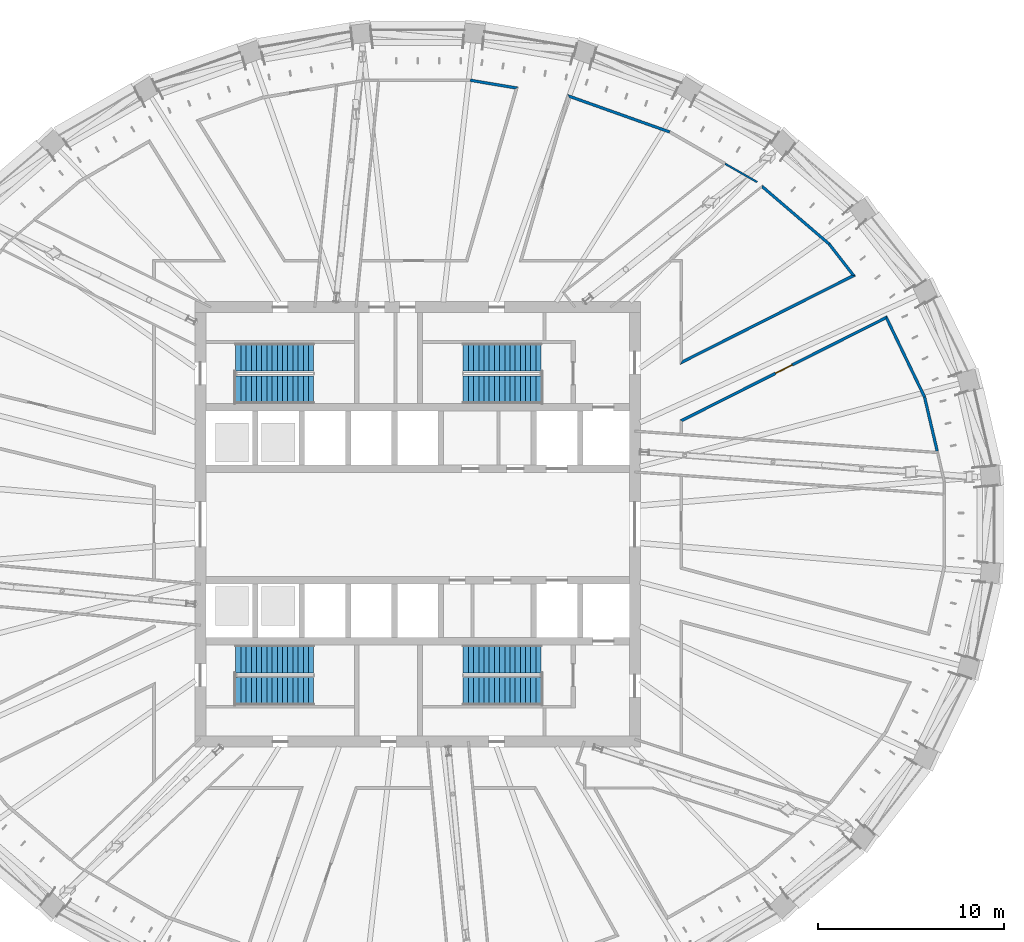
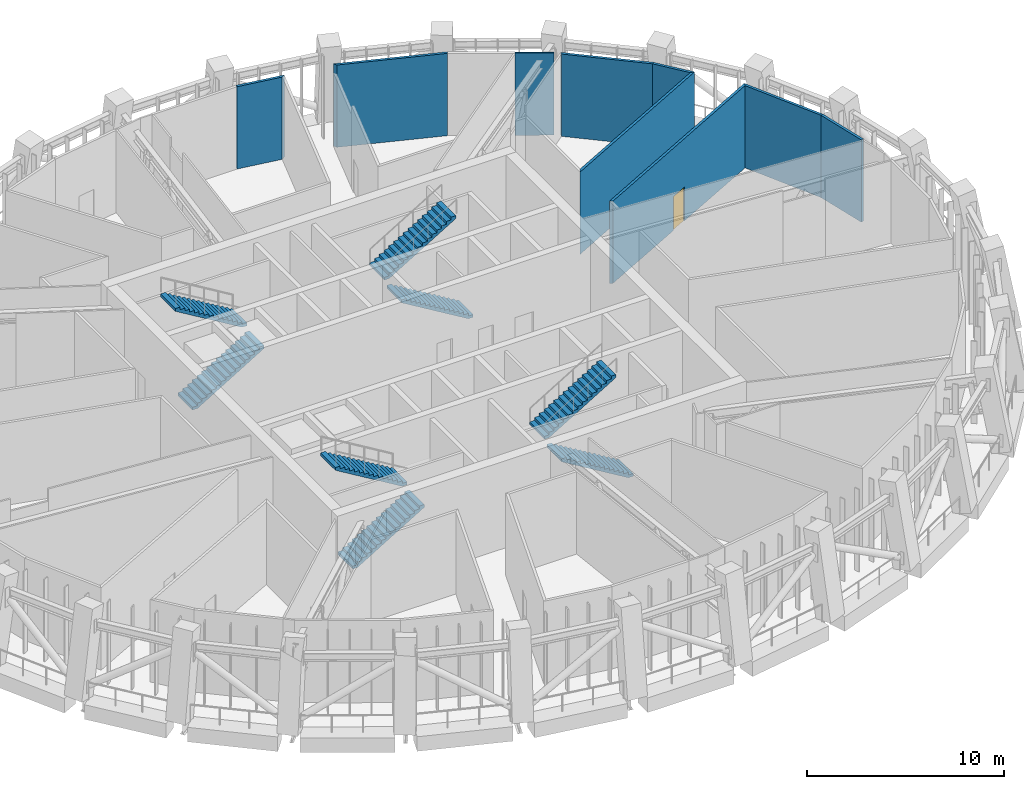
# One storey, part 11 of 20: 9 walls, 8 stair flights, 1 door, 1 opening, 4 elements without a shape of their own.
"""IFC4 building model written with IfcOpenShell, lengths in metres."""

import ifcopenshell
import ifcopenshell.guid

model = None  # the IFC model being written
_history = None  # IfcOwnerHistory: only IFC2X3 demands one
_inside = {}  # id of a spatial element -> (the spatial element, [elements in it])
_under = {}  # id of a project, library or spatial element -> (it, [spatial elements below it])
_declared = {}  # id of a project -> (the project, [libraries it declares])
_typed = {}  # id of a type object -> (the type object, [elements of that type])
_made_of = {}  # id of a material, layer set ... -> (it, [elements and type objects made of it])


def new_model(schema):
    """Start an empty IFC model of exactly this schema.

    Asked for "IFC4X3", IfcOpenShell would pick the latest addendum, in which some entities
    have other attributes; the version numbers below select the first issue.
    IFC2X3 requires an IfcOwnerHistory on every rooted entity: one is made here for all.
    """
    global model, _history
    if schema == "IFC4X3":
        model = ifcopenshell.file(schema_version=(4, 3, 0, 0))
    else:
        model = ifcopenshell.file(schema=schema)
    _inside.clear()
    _under.clear()
    _declared.clear()
    _typed.clear()
    _made_of.clear()
    _history = None
    if model.schema == "IFC2X3":
        org = make("IfcOrganization", Name="unknown")
        user = make(
            "IfcPersonAndOrganization",
            ThePerson=make("IfcPerson", FamilyName="unknown"),
            TheOrganization=org,
        )
        app = make(
            "IfcApplication",
            ApplicationDeveloper=org,
            Version="unknown",
            ApplicationFullName="unknown",
            ApplicationIdentifier="unknown",
        )
        _history = make(
            "IfcOwnerHistory",
            OwningUser=user,
            OwningApplication=app,
            ChangeAction="ADDED",
            CreationDate=0,
        )
    return model


def make(cls, **values):
    """One entity of the class cls with the attributes given. An attribute that is None is left unset."""
    return model.create_entity(
        cls, **{name: value for name, value in values.items() if value is not None}
    )


def rooted(cls, **values):
    """An entity with a GlobalId (a new one), such as an element, a storey or a relation."""
    return make(cls, GlobalId=ifcopenshell.guid.new(), OwnerHistory=_history, **values)


def si_unit(unit_type, name, prefix=None):
    """IfcSIUnit, for example si_unit("LENGTHUNIT", "METRE", prefix="MILLI")."""
    return make("IfcSIUnit", UnitType=unit_type, Prefix=prefix, Name=name)


def assignment(units):
    """IfcUnitAssignment: the units of a project."""
    return None if units is None else make("IfcUnitAssignment", Units=units)


def point(xyz):
    """IfcCartesianPoint."""
    return None if xyz is None else make("IfcCartesianPoint", Coordinates=xyz)


def direction(xyz):
    """IfcDirection."""
    return None if xyz is None else make("IfcDirection", DirectionRatios=xyz)


def frame(location, z_axis=None, x_axis=None):
    """IfcAxis2Placement3D, a coordinate frame: its origin and axes. An axis left out is left unset."""
    return make(
        "IfcAxis2Placement3D",
        Location=point(location),
        Axis=direction(z_axis),
        RefDirection=direction(x_axis),
    )


def frame_2d(location, x_axis=None):
    """IfcAxis2Placement2D, a coordinate frame in the plane: its origin and x axis."""
    return make(
        "IfcAxis2Placement2D", Location=point(location), RefDirection=direction(x_axis)
    )


def origin():
    """The frame at (0, 0, 0) with its axes left unset."""
    return frame((0.0, 0.0, 0.0))


def place(relative_to, where):
    """IfcLocalPlacement: puts the frame where relative to a parent placement (None: the world)."""
    return make(
        "IfcLocalPlacement", PlacementRelTo=relative_to, RelativePlacement=where
    )


def context(
    kind, dimensions, precision=None, world=None, true_north=None, identifier=None
):
    """IfcGeometricRepresentationContext, for example the 3D "Model" context."""
    return make(
        "IfcGeometricRepresentationContext",
        ContextIdentifier=identifier,
        ContextType=kind,
        CoordinateSpaceDimension=dimensions,
        Precision=precision,
        WorldCoordinateSystem=world,
        TrueNorth=true_north,
    )


def subcontext(parent, identifier, kind, view, scale=None):
    """IfcGeometricRepresentationSubContext, for example "Body" below "Model"."""
    return make(
        "IfcGeometricRepresentationSubContext",
        ContextIdentifier=identifier,
        ContextType=kind,
        ParentContext=parent,
        TargetScale=scale,
        TargetView=view,
    )


def project(units=None, contexts=None):
    """IfcProject with its units and contexts."""
    return rooted(
        "IfcProject",
        Name="project",
        RepresentationContexts=contexts,
        UnitsInContext=assignment(units),
    )


def spatial(cls, under=None, at=None, **own):
    """A site, building, storey or space (cls), placed at a placement, below another one or the project."""
    s = rooted(cls, ObjectPlacement=at, **own)
    if under is not None:
        _under.setdefault(under.id(), (under, []))[1].append(s)
    return s


def polyline(points):
    """IfcPolyline through the points."""
    return make("IfcPolyline", Points=[point(p) for p in points])


def profile(cls, at=None, kind="AREA", **sizes):
    """A parametric profile (cls). Its sizes go by their IFC names, for example OverallWidth=200.0."""
    return make(cls, ProfileType=kind, Position=at, **sizes)


def rectangle(**sizes):
    """IfcRectangleProfileDef."""
    return profile("IfcRectangleProfileDef", **sizes)


def outline(outer, holes=None, kind="AREA"):
    """IfcArbitraryClosedProfileDef: a profile drawn as a closed curve; with holes, ...WithVoids."""
    if holes is None:
        return make("IfcArbitraryClosedProfileDef", ProfileType=kind, OuterCurve=outer)
    return make(
        "IfcArbitraryProfileDefWithVoids",
        ProfileType=kind,
        OuterCurve=outer,
        InnerCurves=holes,
    )


def extrude(swept, where, along, depth):
    """IfcExtrudedAreaSolid: the profile swept, set in the frame where, extruded along a direction by depth."""
    return make(
        "IfcExtrudedAreaSolid",
        SweptArea=swept,
        Position=where,
        ExtrudedDirection=direction(along),
        Depth=depth,
    )


def shape(context_of_items, identifier, shape_type, items):
    """IfcShapeRepresentation: the items that make up one representation, for example the "Body"."""
    return make(
        "IfcShapeRepresentation",
        ContextOfItems=context_of_items,
        RepresentationIdentifier=identifier,
        RepresentationType=shape_type,
        Items=items,
    )


def material(Name=None, Category=None):
    """IfcMaterial."""
    return make("IfcMaterial", Name=Name, Category=Category)


def layer(
    of_material, thickness, ventilated=None, Name=None, Category=None, Priority=None
):
    """IfcMaterialLayer: one layer of a wall or slab, of a material (None: an air gap)."""
    return make(
        "IfcMaterialLayer",
        Material=of_material,
        LayerThickness=thickness,
        IsVentilated=ventilated,
        Name=Name,
        Category=Category,
        Priority=Priority,
    )


def layer_set(layers, Name=None):
    """IfcMaterialLayerSet."""
    return make("IfcMaterialLayerSet", MaterialLayers=layers, LayerSetName=Name)


def made_of(thing, what):
    """Note that an element or type object is made of a material, layer set ...; save() writes the relation."""
    if what is not None:
        _made_of.setdefault(what.id(), (what, []))[1].append(thing)
    return thing


def type_object(cls, material=None, **own):
    """A type object (cls), such as IfcWallType, which elements share."""
    return made_of(rooted(cls, **own), material)


def element(
    cls,
    number,
    at=None,
    inside=None,
    cuts=None,
    type_object=None,
    material=None,
    context=None,
    identifier="Body",
    shape_type=None,
    held_by="IfcProductDefinitionShape",
    body=None,
    shapes=None,
    **own,
):
    """One element of the class cls, such as IfcWall. Its Tag is "e" and its number.

    at: its placement. inside: the storey or other place that contains it. cuts: it is an
    opening in that element (IfcRelVoidsElement). A single representation is given by context,
    identifier, shape_type and body (its items); several are given by shapes. held_by: the class
    of the entity that holds the representations. save() writes the other relations.
    """
    e = rooted(cls, Tag="e%d" % number, ObjectPlacement=at, **own)
    if body is not None:
        shapes = [shape(context, identifier, shape_type, body)]
    if shapes is not None:
        e.Representation = make(held_by, Representations=shapes)
    if inside is not None:
        _inside.setdefault(inside.id(), (inside, []))[1].append(e)
    if cuts is not None:
        rooted(
            "IfcRelVoidsElement", RelatingBuildingElement=cuts, RelatedOpeningElement=e
        )
    if type_object is not None:
        _typed.setdefault(type_object.id(), (type_object, []))[1].append(e)
    return made_of(e, material)


def fill(opening, filler):
    """IfcRelFillsElement: the door or window that sits in an opening."""
    return rooted(
        "IfcRelFillsElement",
        RelatingOpeningElement=opening,
        RelatedBuildingElement=filler,
    )


def aggregate(whole, parts):
    """IfcRelAggregates: a whole, such as a stair, and the parts it consists of."""
    return rooted("IfcRelAggregates", RelatingObject=whole, RelatedObjects=parts)


def save(model, path):
    """Write the relations noted so far, then the file.

    IfcRelAggregates (storeys below a building ...), IfcRelContainedInSpatialStructure (elements
    in a storey), IfcRelDefinesByType, IfcRelAssociatesMaterial and IfcRelDeclares: one each for
    every whole, place, type object, material and project.
    """
    for whole, parts in _under.values():
        aggregate(whole, parts)
    for where, things in _inside.values():
        rooted(
            "IfcRelContainedInSpatialStructure",
            RelatedElements=things,
            RelatingStructure=where,
        )
    for kind, things in _typed.values():
        rooted("IfcRelDefinesByType", RelatedObjects=things, RelatingType=kind)
    for what, things in _made_of.values():
        rooted("IfcRelAssociatesMaterial", RelatedObjects=things, RelatingMaterial=what)
    for by, libraries in _declared.values():
        rooted("IfcRelDeclares", RelatingContext=by, RelatedDefinitions=libraries)
    model.write(path)


model = new_model("IFC4")

# Units and contexts
model_context = context("Model", 3, precision=1e-05, world=origin(), true_north=direction((0.0, 1.0)))
body_context = subcontext(model_context, "Body", "Model", "MODEL_VIEW")
ifc_project = project(units=[si_unit("LENGTHUNIT", "METRE"), si_unit("AREAUNIT", "SQUARE_METRE"), si_unit("VOLUMEUNIT", "CUBIC_METRE"), si_unit("PLANEANGLEUNIT", "RADIAN"), si_unit("MASSUNIT", "GRAM", prefix="KILO")], contexts=[model_context])

# Site, building, storey
site_placement = place(None, origin())
site = spatial("IfcSite", under=ifc_project, at=site_placement, CompositionType="ELEMENT")
building_placement = place(site_placement, origin())
building = spatial("IfcBuilding", under=site, at=building_placement, Name="Halqa Exchange Tower", CompositionType="ELEMENT")
storey_placement = place(building_placement, frame((0.0, 0.0, 250.89990234375)))
storey = spatial("IfcBuildingStorey", under=building, at=storey_placement, Name="L58", CompositionType="ELEMENT", Elevation=250.89990234375)

# Walls
ifc_material_1 = material(Name="Fire-rated gypsum board")
ifc_layer_1 = layer(ifc_material_1, 0.14990234375)
ifc_layer_set_1 = layer_set([ifc_layer_1], Name="Fire-rated gypsum board")
wall_type_1 = type_object("IfcWallType", Name="Fire partition EI 60 150", PredefinedType="PARTITIONING", material=ifc_layer_set_1)
wall_1_placement = place(storey_placement, frame((5.4130859375, 23.486083984375, 0.0), z_axis=(0.0, 0.0, 1.0), x_axis=(-0.986192138968, 0.165605147982, 0.0)))
element("IfcWall", 1, at=wall_1_placement, inside=storey, type_object=wall_type_1, Name="L58-PWL-057", PredefinedType="PARTITIONING", context=body_context, shape_type="SweptSolid", body=[
    extrude(outline(polyline([(2.62548828125, -0.074951171875), (2.62548828125, -0.07470703125), (2.613037109375, 0.074951171875), (0.168212890625, 0.074951171875), (0.0, -0.074951171875), (1.312744140625, -0.074951171875), (2.62548828125, -0.074951171875)])), origin(), (0.0, 0.0, 1.0), 5.10009765625),
])
wall_2_placement = place(storey_placement, frame((13.586181640625, 21.127685546875, 0.0), z_axis=(0.0, 0.0, 1.0), x_axis=(-0.942147093133, 0.335199723897, 0.0)))
element("IfcWall", 2, at=wall_2_placement, inside=storey, type_object=wall_type_1, Name="L58-PWL-078", PredefinedType="PARTITIONING", context=body_context, shape_type="SweptSolid", body=[
    extrude(outline(polyline([(5.879150390625, -0.074951171875), (5.879150390625, -0.074951171875), (5.719970703125, 0.074951171875), (3.81787109375, 0.074951171875), (1.91552734375, 0.074951171875), (0.013427734375, 0.074951171875), (0.0, -0.073486328125), (0.0, -0.074951171875), (1.959716796875, -0.074951171875), (3.91943359375, -0.074951171875), (5.879150390625, -0.074951171875)])), origin(), (0.0, 0.0, 1.0), 5.10009765625),
])
wall_3_placement = place(storey_placement, frame((14.09130859375, 8.6650390625, 0.0), z_axis=(0.0, 0.0, 1.0), x_axis=(0.892879606884, 0.45029546701, 0.0)))
element("IfcWall", 3, at=wall_3_placement, inside=storey, type_object=wall_type_1, Name="L58-PWL-084", PredefinedType="PARTITIONING", context=body_context, shape_type="SweptSolid", body=[
    extrude(outline(polyline([(10.606201171875, -0.074951171875), (10.606201171875, -0.074951171875), (10.424072265625, 0.074951171875), (8.727294921875, 0.074951171875), (7.030517578125, 0.074951171875), (5.333740234375, 0.074951171875), (3.636962890625, 0.074951171875), (1.940185546875, 0.074951171875), (0.243408203125, 0.074951171875), (0.0, -0.074951171875), (0.0, -0.074951171875), (1.767578125, -0.074951171875), (3.535400390625, -0.074951171875), (5.30322265625, -0.074951171875), (7.07080078125, -0.074951171875), (8.83837890625, -0.074951171875), (10.606201171875, -0.074951171875)])), origin(), (0.0, 0.0, 1.0), 5.10009765625),
])
wall_4_placement = place(storey_placement, frame((22.165771484375, 15.09521484375, 0.0), z_axis=(0.0, 0.0, 1.0), x_axis=(-0.758681846791, 0.651461322989, 0.0)))
element("IfcWall", 4, at=wall_4_placement, inside=storey, type_object=wall_type_1, Name="L58-PWL-090", PredefinedType="PARTITIONING", context=body_context, shape_type="SweptSolid", body=[
    extrude(outline(polyline([(4.7998046875, -0.074951171875), (4.7998046875, -0.07470703125), (4.726806640625, 0.074951171875), (3.15625, 0.074951171875), (1.585693359375, 0.074951171875), (0.01513671875, 0.074951171875), (0.0, -0.07421875), (0.0, -0.074951171875), (1.599853515625, -0.074951171875), (3.199951171875, -0.074951171875), (4.7998046875, -0.074951171875)])), origin(), (0.0, 0.0, 1.0), 5.10009765625),
])
wall_5_placement = place(storey_placement, frame((22.155517578125, 15.10595703125, 0.0), z_axis=(0.0, 0.0, 1.0), x_axis=(0.613279576322, -0.789865913473, 0.0)))
element("IfcWall", 5, at=wall_5_placement, inside=storey, type_object=wall_type_1, Name="L58-PWL-091", PredefinedType="PARTITIONING", context=body_context, shape_type="SweptSolid", body=[
    extrude(outline(polyline([(0.014892578125, -0.074951171875), (2.06884765625, -0.074951171875), (2.250732421875, 0.074951171875), (2.250732421875, 0.074951171875), (0.0, 0.074951171875), (0.0, 0.07373046875), (0.014892578125, -0.074951171875)])), origin(), (0.0, 0.0, 1.0), 5.10009765625),
])

# Wall, opening, door
wall_6_placement = place(storey_placement, frame((25.30810546875, 11.17431640625, 0.0), z_axis=(0.0, 0.0, 1.0), x_axis=(-0.893124841653, -0.449808867435, 0.0)))
wall_6 = element("IfcWall", 6, at=wall_6_placement, inside=storey, type_object=wall_type_1, Name="L58-PWL-094", PredefinedType="PARTITIONING", context=body_context, shape_type="SweptSolid", body=[
    extrude(outline(polyline([(0.0, -0.074951171875), (1.783447265625, -0.074951171875), (3.566650390625, -0.074951171875), (5.35009765625, -0.074951171875), (7.13330078125, -0.074951171875), (8.916748046875, -0.074951171875), (10.699951171875, -0.074951171875), (12.4833984375, -0.074951171875), (12.39111328125, 0.074951171875), (10.642822265625, 0.074951171875), (8.894287109375, 0.074951171875), (7.14599609375, 0.074951171875), (5.397705078125, 0.074951171875), (3.649169921875, 0.074951171875), (1.90087890625, 0.074951171875), (0.152587890625, 0.074951171875), (0.0, -0.074951171875), (0.0, -0.074951171875)])), origin(), (0.0, 0.0, 1.0), 5.10009765625),
])
opening_placement = place(wall_6_placement, frame((5.7568359375, 0.0, 0.0)))
opening = element("IfcOpeningElement", 7, at=opening_placement, cuts=wall_6, Name="Opening L58-09", PredefinedType="OPENING", context=body_context, shape_type="SweptSolid", body=[
    extrude(rectangle(XDim=1.0, YDim=2.10009765625, at=frame_2d((0.5, 1.050048828125))), frame((0.0, 0.0869140625, 0.0), z_axis=(0.0, -1.0, 0.0), x_axis=(1.0, 0.0, 0.0)), (0.0, 0.0, 1.0), 0.173828125),
])
ifc_material_2 = material(Name="Steel fire door leaf", Category="steel")
door_type = type_object("IfcDoorType", Name="Fire door FD30S 1000 x 2100", OperationType="SINGLE_SWING_LEFT", PredefinedType="DOOR", material=ifc_material_2)
door_placement = place(opening_placement, origin())
door = element("IfcDoor", 8, at=door_placement, inside=storey, type_object=door_type, Name="L58-IDR-009", OperationType="SINGLE_SWING_RIGHT", OverallHeight=2.10009765625, OverallWidth=1.0, PredefinedType="DOOR", context=body_context, shape_type="SweptSolid", body=[
    extrude(rectangle(XDim=1.0, YDim=2.10009765625, at=frame_2d((0.5, 1.050048828125))), frame((0.0, 0.02490234375, 0.0), z_axis=(0.0, -1.0, 0.0), x_axis=(1.0, 0.0, 0.0)), (0.0, 0.0, 1.0), 0.050048828125),
])
fill(opening, door)

# Walls
wall_7_placement = place(storey_placement, frame((27.3037109375, 6.8525390625, 0.0), z_axis=(0.0, 0.0, 1.0), x_axis=(-0.433730590615, 0.901042604301, 0.0)))
element("IfcWall", 9, at=wall_7_placement, inside=storey, type_object=wall_type_1, Name="L58-PWL-095", PredefinedType="PARTITIONING", context=body_context, shape_type="SweptSolid", body=[
    extrude(outline(polyline([(0.0, -0.074951171875), (1.611572265625, -0.074951171875), (3.222900390625, -0.074951171875), (4.83447265625, -0.074951171875), (4.681884765625, 0.074951171875), (3.126708984375, 0.074951171875), (1.571533203125, 0.074951171875), (0.0166015625, 0.074951171875), (0.0, -0.074951171875)])), origin(), (0.0, 0.0, 1.0), 5.10009765625),
])
wall_8_placement = place(storey_placement, frame((27.298095703125, 6.867919921875, 0.0), z_axis=(0.0, 0.0, 1.0), x_axis=(0.227974635616, -0.973667071188, 0.0)))
element("IfcWall", 10, at=wall_8_placement, inside=storey, type_object=wall_type_1, Name="L58-PWL-096", PredefinedType="PARTITIONING", context=body_context, shape_type="SweptSolid", body=[
    extrude(outline(polyline([(0.0, 0.074951171875), (0.0, 0.07421875), (0.016357421875, -0.074951171875), (1.51025390625, -0.074951171875), (3.00390625, -0.074951171875), (3.00390625, 0.074951171875), (1.501953125, 0.074951171875), (0.0, 0.074951171875)])), origin(), (0.0, 0.0, 1.0), 5.10009765625),
])
ifc_material_3 = material(Name="Gypsum board")
ifc_layer_2 = layer(ifc_material_3, 0.10009765625)
ifc_layer_set_2 = layer_set([ifc_layer_2], Name="Gypsum board")
wall_type_2 = type_object("IfcWallType", Name="Partition 100 gypsum", PredefinedType="PARTITIONING", material=ifc_layer_set_2)
wall_9_placement = place(storey_placement, frame((18.283447265625, 18.435302734375, 0.0), z_axis=(0.0, 0.0, 1.0), x_axis=(-0.868280986798, 0.496072704314, 0.0)))
element("IfcWall", 11, at=wall_9_placement, inside=storey, type_object=wall_type_2, Name="L58-PWL-088", PredefinedType="PARTITIONING", context=body_context, shape_type="SweptSolid", body=[
    extrude(rectangle(XDim=1.98486328125, YDim=0.10009765625, at=frame_2d((0.992431640625, 0.0))), origin(), (0.0, 0.0, 1.0), 5.10009765625),
])

# Stair, stair flights
ifc_material_4 = material(Name="Concrete C30/37", Category="concrete")
stair_type = type_object("IfcStairType", Name="Exit stair 1500 wide", PredefinedType="HALF_TURN_STAIR", material=ifc_material_4)
stair_1_placement = place(storey_placement, origin())
stair_1 = element("IfcStair", 12, at=stair_1_placement, inside=storey, type_object=stair_type, Name="Exit stair ST1", PredefinedType="HALF_TURN_STAIR")
stair_flight_type = type_object("IfcStairFlightType", Name="Stair flight 1500 wide", PredefinedType="STRAIGHT", material=ifc_material_4)
stair_flight_1_placement = place(storey_placement, frame((-9.800048828125, 7.25, 0.0), z_axis=(0.0, 0.0, 1.0), x_axis=(1.0, 0.0, 0.0)))
stair_flight_1 = element("IfcStairFlight", 13, at=stair_flight_1_placement, type_object=stair_flight_type, Name="ST1 flight 1", NumberOfRisers=16, NumberOfTreads=15, PredefinedType="STRAIGHT", RiserHeight=0.16875, TreadLength=0.28, context=body_context, shape_type="SweptSolid", body=[
    extrude(outline(polyline([(0.0, 0.0), (0.0, 0.168701171875), (0.280029296875, 0.168701171875), (0.280029296875, 0.33740234375), (0.56005859375, 0.33740234375), (0.56005859375, 0.50634765625), (0.840087890625, 0.50634765625), (0.840087890625, 0.675048828125), (1.1201171875, 0.675048828125), (1.1201171875, 0.84375), (1.39990234375, 0.84375), (1.39990234375, 1.012451171875), (1.679931640625, 1.012451171875), (1.679931640625, 1.18115234375), (1.9599609375, 1.18115234375), (1.9599609375, 1.35009765625), (2.239990234375, 1.35009765625), (2.239990234375, 1.518798828125), (2.52001953125, 1.518798828125), (2.52001953125, 1.6875), (2.800048828125, 1.6875), (2.800048828125, 1.856201171875), (3.080078125, 1.856201171875), (3.080078125, 2.02490234375), (3.360107421875, 2.02490234375), (3.360107421875, 2.19384765625), (3.639892578125, 2.19384765625), (3.639892578125, 2.362548828125), (3.919921875, 2.362548828125), (3.919921875, 2.53125), (4.199951171875, 2.53125), (4.199951171875, 2.699951171875), (4.199951171875, 2.356201171875), (0.29052734375, 0.0), (0.0, 0.0)])), frame((0.0, 0.75, 0.0), z_axis=(0.0, -1.0, 0.0), x_axis=(1.0, 0.0, 0.0)), (0.0, 0.0, 1.0), 1.5),
])
stair_flight_2_placement = place(storey_placement, frame((-5.60009765625, 9.0, 2.7001953125), z_axis=(0.0, 0.0, 1.0), x_axis=(-1.0, 0.0, 0.0)))
stair_flight_2 = element("IfcStairFlight", 14, at=stair_flight_2_placement, type_object=stair_flight_type, Name="ST1 flight 2", NumberOfRisers=16, NumberOfTreads=15, PredefinedType="STRAIGHT", RiserHeight=0.16875, TreadLength=0.28, context=body_context, shape_type="SweptSolid", body=[
    extrude(outline(polyline([(0.0, 0.0), (0.0, 0.168701171875), (0.280029296875, 0.168701171875), (0.280029296875, 0.33740234375), (0.56005859375, 0.33740234375), (0.56005859375, 0.50634765625), (0.840087890625, 0.50634765625), (0.840087890625, 0.675048828125), (1.1201171875, 0.675048828125), (1.1201171875, 0.84375), (1.39990234375, 0.84375), (1.39990234375, 1.012451171875), (1.679931640625, 1.012451171875), (1.679931640625, 1.18115234375), (1.9599609375, 1.18115234375), (1.9599609375, 1.35009765625), (2.239990234375, 1.35009765625), (2.239990234375, 1.518798828125), (2.52001953125, 1.518798828125), (2.52001953125, 1.6875), (2.800048828125, 1.6875), (2.800048828125, 1.856201171875), (3.080078125, 1.856201171875), (3.080078125, 2.02490234375), (3.360107421875, 2.02490234375), (3.360107421875, 2.19384765625), (3.639892578125, 2.19384765625), (3.639892578125, 2.362548828125), (3.919921875, 2.362548828125), (3.919921875, 2.53125), (4.199951171875, 2.53125), (4.199951171875, 2.699951171875), (4.199951171875, 2.356201171875), (0.29052734375, 0.0), (0.0, 0.0)])), frame((0.0, 0.75, 0.0), z_axis=(0.0, -1.0, 0.0), x_axis=(1.0, 0.0, 0.0)), (0.0, 0.0, 1.0), 1.5),
])
aggregate(stair_1, [stair_flight_1, stair_flight_2])

stair_2_placement = place(storey_placement, origin())
stair_2 = element("IfcStair", 15, at=stair_2_placement, inside=storey, type_object=stair_type, Name="Exit stair ST2", PredefinedType="HALF_TURN_STAIR")
stair_flight_3_placement = place(storey_placement, frame((6.64990234375, 7.25, 0.0), z_axis=(0.0, 0.0, 1.0), x_axis=(-1.0, 0.0, 0.0)))
stair_flight_3 = element("IfcStairFlight", 16, at=stair_flight_3_placement, type_object=stair_flight_type, Name="ST2 flight 1", NumberOfRisers=16, NumberOfTreads=15, PredefinedType="STRAIGHT", RiserHeight=0.16875, TreadLength=0.28, context=body_context, shape_type="SweptSolid", body=[
    extrude(outline(polyline([(0.0, 0.0), (0.0, 0.168701171875), (0.280029296875, 0.168701171875), (0.280029296875, 0.33740234375), (0.56005859375, 0.33740234375), (0.56005859375, 0.50634765625), (0.840087890625, 0.50634765625), (0.840087890625, 0.675048828125), (1.1201171875, 0.675048828125), (1.1201171875, 0.84375), (1.39990234375, 0.84375), (1.39990234375, 1.012451171875), (1.679931640625, 1.012451171875), (1.679931640625, 1.18115234375), (1.9599609375, 1.18115234375), (1.9599609375, 1.35009765625), (2.239990234375, 1.35009765625), (2.239990234375, 1.518798828125), (2.52001953125, 1.518798828125), (2.52001953125, 1.6875), (2.800048828125, 1.6875), (2.800048828125, 1.856201171875), (3.080078125, 1.856201171875), (3.080078125, 2.02490234375), (3.360107421875, 2.02490234375), (3.360107421875, 2.19384765625), (3.639892578125, 2.19384765625), (3.639892578125, 2.362548828125), (3.919921875, 2.362548828125), (3.919921875, 2.53125), (4.199951171875, 2.53125), (4.199951171875, 2.699951171875), (4.199951171875, 2.356201171875), (0.29052734375, 0.0), (0.0, 0.0)])), frame((0.0, 0.75, 0.0), z_axis=(0.0, -1.0, 0.0), x_axis=(1.0, 0.0, 0.0)), (0.0, 0.0, 1.0), 1.5),
])
stair_flight_4_placement = place(storey_placement, frame((2.449951171875, 9.0, 2.7001953125), z_axis=(0.0, 0.0, 1.0), x_axis=(1.0, 0.0, 0.0)))
stair_flight_4 = element("IfcStairFlight", 17, at=stair_flight_4_placement, type_object=stair_flight_type, Name="ST2 flight 2", NumberOfRisers=16, NumberOfTreads=15, PredefinedType="STRAIGHT", RiserHeight=0.16875, TreadLength=0.28, context=body_context, shape_type="SweptSolid", body=[
    extrude(outline(polyline([(0.0, 0.0), (0.0, 0.168701171875), (0.280029296875, 0.168701171875), (0.280029296875, 0.33740234375), (0.56005859375, 0.33740234375), (0.56005859375, 0.50634765625), (0.840087890625, 0.50634765625), (0.840087890625, 0.675048828125), (1.1201171875, 0.675048828125), (1.1201171875, 0.84375), (1.39990234375, 0.84375), (1.39990234375, 1.012451171875), (1.679931640625, 1.012451171875), (1.679931640625, 1.18115234375), (1.9599609375, 1.18115234375), (1.9599609375, 1.35009765625), (2.239990234375, 1.35009765625), (2.239990234375, 1.518798828125), (2.52001953125, 1.518798828125), (2.52001953125, 1.6875), (2.800048828125, 1.6875), (2.800048828125, 1.856201171875), (3.080078125, 1.856201171875), (3.080078125, 2.02490234375), (3.360107421875, 2.02490234375), (3.360107421875, 2.19384765625), (3.639892578125, 2.19384765625), (3.639892578125, 2.362548828125), (3.919921875, 2.362548828125), (3.919921875, 2.53125), (4.199951171875, 2.53125), (4.199951171875, 2.699951171875), (4.199951171875, 2.356201171875), (0.29052734375, 0.0), (0.0, 0.0)])), frame((0.0, 0.75, 0.0), z_axis=(0.0, -1.0, 0.0), x_axis=(1.0, 0.0, 0.0)), (0.0, 0.0, 1.0), 1.5),
])
aggregate(stair_2, [stair_flight_3, stair_flight_4])

stair_3_placement = place(storey_placement, origin())
stair_3 = element("IfcStair", 18, at=stair_3_placement, inside=storey, type_object=stair_type, Name="Exit stair ST3", PredefinedType="HALF_TURN_STAIR")
stair_flight_5_placement = place(storey_placement, frame((-9.800048828125, -9.0, 0.0), z_axis=(0.0, 0.0, 1.0), x_axis=(1.0, 0.0, 0.0)))
stair_flight_5 = element("IfcStairFlight", 19, at=stair_flight_5_placement, type_object=stair_flight_type, Name="ST3 flight 1", NumberOfRisers=16, NumberOfTreads=15, PredefinedType="STRAIGHT", RiserHeight=0.16875, TreadLength=0.28, context=body_context, shape_type="SweptSolid", body=[
    extrude(outline(polyline([(0.0, 0.0), (0.0, 0.168701171875), (0.280029296875, 0.168701171875), (0.280029296875, 0.33740234375), (0.56005859375, 0.33740234375), (0.56005859375, 0.50634765625), (0.840087890625, 0.50634765625), (0.840087890625, 0.675048828125), (1.1201171875, 0.675048828125), (1.1201171875, 0.84375), (1.39990234375, 0.84375), (1.39990234375, 1.012451171875), (1.679931640625, 1.012451171875), (1.679931640625, 1.18115234375), (1.9599609375, 1.18115234375), (1.9599609375, 1.35009765625), (2.239990234375, 1.35009765625), (2.239990234375, 1.518798828125), (2.52001953125, 1.518798828125), (2.52001953125, 1.6875), (2.800048828125, 1.6875), (2.800048828125, 1.856201171875), (3.080078125, 1.856201171875), (3.080078125, 2.02490234375), (3.360107421875, 2.02490234375), (3.360107421875, 2.19384765625), (3.639892578125, 2.19384765625), (3.639892578125, 2.362548828125), (3.919921875, 2.362548828125), (3.919921875, 2.53125), (4.199951171875, 2.53125), (4.199951171875, 2.699951171875), (4.199951171875, 2.356201171875), (0.29052734375, 0.0), (0.0, 0.0)])), frame((0.0, 0.75, 0.0), z_axis=(0.0, -1.0, 0.0), x_axis=(1.0, 0.0, 0.0)), (0.0, 0.0, 1.0), 1.5),
])
stair_flight_6_placement = place(storey_placement, frame((-5.60009765625, -7.25, 2.7001953125), z_axis=(0.0, 0.0, 1.0), x_axis=(-1.0, 0.0, 0.0)))
stair_flight_6 = element("IfcStairFlight", 20, at=stair_flight_6_placement, type_object=stair_flight_type, Name="ST3 flight 2", NumberOfRisers=16, NumberOfTreads=15, PredefinedType="STRAIGHT", RiserHeight=0.16875, TreadLength=0.28, context=body_context, shape_type="SweptSolid", body=[
    extrude(outline(polyline([(0.0, 0.0), (0.0, 0.168701171875), (0.280029296875, 0.168701171875), (0.280029296875, 0.33740234375), (0.56005859375, 0.33740234375), (0.56005859375, 0.50634765625), (0.840087890625, 0.50634765625), (0.840087890625, 0.675048828125), (1.1201171875, 0.675048828125), (1.1201171875, 0.84375), (1.39990234375, 0.84375), (1.39990234375, 1.012451171875), (1.679931640625, 1.012451171875), (1.679931640625, 1.18115234375), (1.9599609375, 1.18115234375), (1.9599609375, 1.35009765625), (2.239990234375, 1.35009765625), (2.239990234375, 1.518798828125), (2.52001953125, 1.518798828125), (2.52001953125, 1.6875), (2.800048828125, 1.6875), (2.800048828125, 1.856201171875), (3.080078125, 1.856201171875), (3.080078125, 2.02490234375), (3.360107421875, 2.02490234375), (3.360107421875, 2.19384765625), (3.639892578125, 2.19384765625), (3.639892578125, 2.362548828125), (3.919921875, 2.362548828125), (3.919921875, 2.53125), (4.199951171875, 2.53125), (4.199951171875, 2.699951171875), (4.199951171875, 2.356201171875), (0.29052734375, 0.0), (0.0, 0.0)])), frame((0.0, 0.75, 0.0), z_axis=(0.0, -1.0, 0.0), x_axis=(1.0, 0.0, 0.0)), (0.0, 0.0, 1.0), 1.5),
])
aggregate(stair_3, [stair_flight_5, stair_flight_6])

stair_4_placement = place(storey_placement, origin())
stair_4 = element("IfcStair", 21, at=stair_4_placement, inside=storey, type_object=stair_type, Name="Exit stair ST4", PredefinedType="HALF_TURN_STAIR")
stair_flight_7_placement = place(storey_placement, frame((6.64990234375, -9.0, 0.0), z_axis=(0.0, 0.0, 1.0), x_axis=(-1.0, 0.0, 0.0)))
stair_flight_7 = element("IfcStairFlight", 22, at=stair_flight_7_placement, type_object=stair_flight_type, Name="ST4 flight 1", NumberOfRisers=16, NumberOfTreads=15, PredefinedType="STRAIGHT", RiserHeight=0.16875, TreadLength=0.28, context=body_context, shape_type="SweptSolid", body=[
    extrude(outline(polyline([(0.0, 0.0), (0.0, 0.168701171875), (0.280029296875, 0.168701171875), (0.280029296875, 0.33740234375), (0.56005859375, 0.33740234375), (0.56005859375, 0.50634765625), (0.840087890625, 0.50634765625), (0.840087890625, 0.675048828125), (1.1201171875, 0.675048828125), (1.1201171875, 0.84375), (1.39990234375, 0.84375), (1.39990234375, 1.012451171875), (1.679931640625, 1.012451171875), (1.679931640625, 1.18115234375), (1.9599609375, 1.18115234375), (1.9599609375, 1.35009765625), (2.239990234375, 1.35009765625), (2.239990234375, 1.518798828125), (2.52001953125, 1.518798828125), (2.52001953125, 1.6875), (2.800048828125, 1.6875), (2.800048828125, 1.856201171875), (3.080078125, 1.856201171875), (3.080078125, 2.02490234375), (3.360107421875, 2.02490234375), (3.360107421875, 2.19384765625), (3.639892578125, 2.19384765625), (3.639892578125, 2.362548828125), (3.919921875, 2.362548828125), (3.919921875, 2.53125), (4.199951171875, 2.53125), (4.199951171875, 2.699951171875), (4.199951171875, 2.356201171875), (0.29052734375, 0.0), (0.0, 0.0)])), frame((0.0, 0.75, 0.0), z_axis=(0.0, -1.0, 0.0), x_axis=(1.0, 0.0, 0.0)), (0.0, 0.0, 1.0), 1.5),
])
stair_flight_8_placement = place(storey_placement, frame((2.449951171875, -7.25, 2.7001953125), z_axis=(0.0, 0.0, 1.0), x_axis=(1.0, 0.0, 0.0)))
stair_flight_8 = element("IfcStairFlight", 23, at=stair_flight_8_placement, type_object=stair_flight_type, Name="ST4 flight 2", NumberOfRisers=16, NumberOfTreads=15, PredefinedType="STRAIGHT", RiserHeight=0.16875, TreadLength=0.28, context=body_context, shape_type="SweptSolid", body=[
    extrude(outline(polyline([(0.0, 0.0), (0.0, 0.168701171875), (0.280029296875, 0.168701171875), (0.280029296875, 0.33740234375), (0.56005859375, 0.33740234375), (0.56005859375, 0.50634765625), (0.840087890625, 0.50634765625), (0.840087890625, 0.675048828125), (1.1201171875, 0.675048828125), (1.1201171875, 0.84375), (1.39990234375, 0.84375), (1.39990234375, 1.012451171875), (1.679931640625, 1.012451171875), (1.679931640625, 1.18115234375), (1.9599609375, 1.18115234375), (1.9599609375, 1.35009765625), (2.239990234375, 1.35009765625), (2.239990234375, 1.518798828125), (2.52001953125, 1.518798828125), (2.52001953125, 1.6875), (2.800048828125, 1.6875), (2.800048828125, 1.856201171875), (3.080078125, 1.856201171875), (3.080078125, 2.02490234375), (3.360107421875, 2.02490234375), (3.360107421875, 2.19384765625), (3.639892578125, 2.19384765625), (3.639892578125, 2.362548828125), (3.919921875, 2.362548828125), (3.919921875, 2.53125), (4.199951171875, 2.53125), (4.199951171875, 2.699951171875), (4.199951171875, 2.356201171875), (0.29052734375, 0.0), (0.0, 0.0)])), frame((0.0, 0.75, 0.0), z_axis=(0.0, -1.0, 0.0), x_axis=(1.0, 0.0, 0.0)), (0.0, 0.0, 1.0), 1.5),
])
aggregate(stair_4, [stair_flight_7, stair_flight_8])

save(model, "model.ifc")
